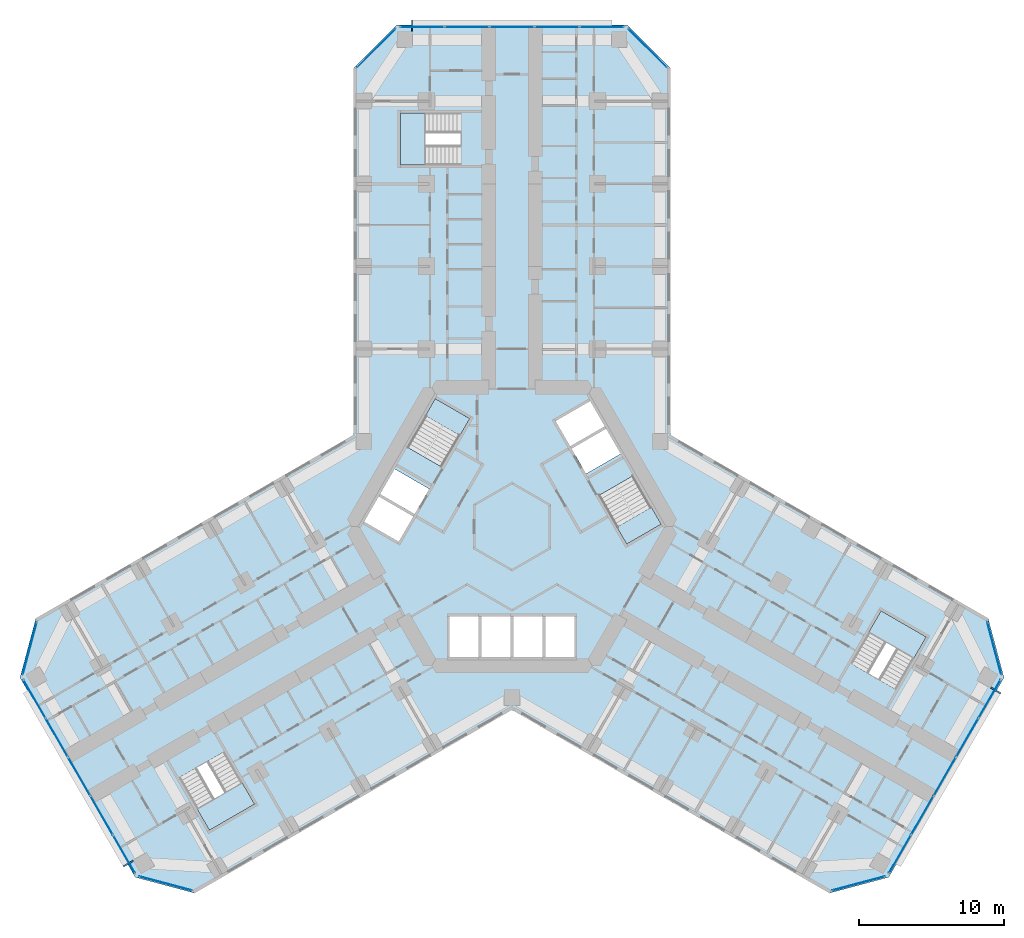
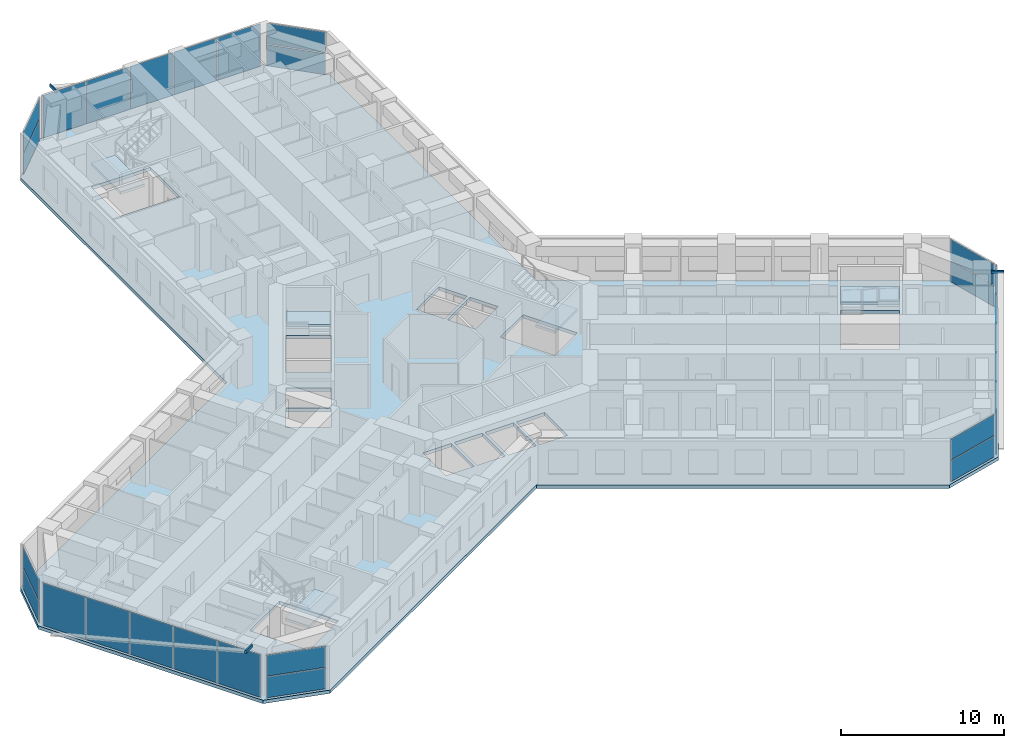
# One storey, part 9 of 21: 27 plates, 6 slabs, 3 members, 14 elements without a shape of their own.
"""IFC4 building model written with IfcOpenShell, lengths in metres."""

import ifcopenshell
import ifcopenshell.guid

model = None  # the IFC model being written
_history = None  # IfcOwnerHistory: only IFC2X3 demands one
_inside = {}  # id of a spatial element -> (the spatial element, [elements in it])
_under = {}  # id of a project, library or spatial element -> (it, [spatial elements below it])
_declared = {}  # id of a project -> (the project, [libraries it declares])
_typed = {}  # id of a type object -> (the type object, [elements of that type])
_made_of = {}  # id of a material, layer set ... -> (it, [elements and type objects made of it])


def new_model(schema):
    """Start an empty IFC model of exactly this schema.

    Asked for "IFC4X3", IfcOpenShell would pick the latest addendum, in which some entities
    have other attributes; the version numbers below select the first issue.
    IFC2X3 requires an IfcOwnerHistory on every rooted entity: one is made here for all.
    """
    global model, _history
    if schema == "IFC4X3":
        model = ifcopenshell.file(schema_version=(4, 3, 0, 0))
    else:
        model = ifcopenshell.file(schema=schema)
    _inside.clear()
    _under.clear()
    _declared.clear()
    _typed.clear()
    _made_of.clear()
    _history = None
    if model.schema == "IFC2X3":
        org = make("IfcOrganization", Name="unknown")
        user = make(
            "IfcPersonAndOrganization",
            ThePerson=make("IfcPerson", FamilyName="unknown"),
            TheOrganization=org,
        )
        app = make(
            "IfcApplication",
            ApplicationDeveloper=org,
            Version="unknown",
            ApplicationFullName="unknown",
            ApplicationIdentifier="unknown",
        )
        _history = make(
            "IfcOwnerHistory",
            OwningUser=user,
            OwningApplication=app,
            ChangeAction="ADDED",
            CreationDate=0,
        )
    return model


def make(cls, **values):
    """One entity of the class cls with the attributes given. An attribute that is None is left unset."""
    return model.create_entity(
        cls, **{name: value for name, value in values.items() if value is not None}
    )


def rooted(cls, **values):
    """An entity with a GlobalId (a new one), such as an element, a storey or a relation."""
    return make(cls, GlobalId=ifcopenshell.guid.new(), OwnerHistory=_history, **values)


def si_unit(unit_type, name, prefix=None):
    """IfcSIUnit, for example si_unit("LENGTHUNIT", "METRE", prefix="MILLI")."""
    return make("IfcSIUnit", UnitType=unit_type, Prefix=prefix, Name=name)


def assignment(units):
    """IfcUnitAssignment: the units of a project."""
    return None if units is None else make("IfcUnitAssignment", Units=units)


def point(xyz):
    """IfcCartesianPoint."""
    return None if xyz is None else make("IfcCartesianPoint", Coordinates=xyz)


def direction(xyz):
    """IfcDirection."""
    return None if xyz is None else make("IfcDirection", DirectionRatios=xyz)


def frame(location, z_axis=None, x_axis=None):
    """IfcAxis2Placement3D, a coordinate frame: its origin and axes. An axis left out is left unset."""
    return make(
        "IfcAxis2Placement3D",
        Location=point(location),
        Axis=direction(z_axis),
        RefDirection=direction(x_axis),
    )


def frame_2d(location, x_axis=None):
    """IfcAxis2Placement2D, a coordinate frame in the plane: its origin and x axis."""
    return make(
        "IfcAxis2Placement2D", Location=point(location), RefDirection=direction(x_axis)
    )


def origin():
    """The frame at (0, 0, 0) with its axes left unset."""
    return frame((0.0, 0.0, 0.0))


def origin_2d():
    """The frame at (0, 0) in the plane with its x axis left unset."""
    return frame_2d((0.0, 0.0))


def place(relative_to, where):
    """IfcLocalPlacement: puts the frame where relative to a parent placement (None: the world)."""
    return make(
        "IfcLocalPlacement", PlacementRelTo=relative_to, RelativePlacement=where
    )


def context(
    kind, dimensions, precision=None, world=None, true_north=None, identifier=None
):
    """IfcGeometricRepresentationContext, for example the 3D "Model" context."""
    return make(
        "IfcGeometricRepresentationContext",
        ContextIdentifier=identifier,
        ContextType=kind,
        CoordinateSpaceDimension=dimensions,
        Precision=precision,
        WorldCoordinateSystem=world,
        TrueNorth=true_north,
    )


def subcontext(parent, identifier, kind, view, scale=None):
    """IfcGeometricRepresentationSubContext, for example "Body" below "Model"."""
    return make(
        "IfcGeometricRepresentationSubContext",
        ContextIdentifier=identifier,
        ContextType=kind,
        ParentContext=parent,
        TargetScale=scale,
        TargetView=view,
    )


def project(units=None, contexts=None):
    """IfcProject with its units and contexts."""
    return rooted(
        "IfcProject",
        Name="project",
        RepresentationContexts=contexts,
        UnitsInContext=assignment(units),
    )


def spatial(cls, under=None, at=None, **own):
    """A site, building, storey or space (cls), placed at a placement, below another one or the project."""
    s = rooted(cls, ObjectPlacement=at, **own)
    if under is not None:
        _under.setdefault(under.id(), (under, []))[1].append(s)
    return s


def polyline(points):
    """IfcPolyline through the points."""
    return make("IfcPolyline", Points=[point(p) for p in points])


def profile(cls, at=None, kind="AREA", **sizes):
    """A parametric profile (cls). Its sizes go by their IFC names, for example OverallWidth=200.0."""
    return make(cls, ProfileType=kind, Position=at, **sizes)


def rectangle(**sizes):
    """IfcRectangleProfileDef."""
    return profile("IfcRectangleProfileDef", **sizes)


def hollow_rectangle(**sizes):
    """IfcRectangleHollowProfileDef."""
    return profile("IfcRectangleHollowProfileDef", **sizes)


def outline(outer, holes=None, kind="AREA"):
    """IfcArbitraryClosedProfileDef: a profile drawn as a closed curve; with holes, ...WithVoids."""
    if holes is None:
        return make("IfcArbitraryClosedProfileDef", ProfileType=kind, OuterCurve=outer)
    return make(
        "IfcArbitraryProfileDefWithVoids",
        ProfileType=kind,
        OuterCurve=outer,
        InnerCurves=holes,
    )


def extrude(swept, where, along, depth):
    """IfcExtrudedAreaSolid: the profile swept, set in the frame where, extruded along a direction by depth."""
    return make(
        "IfcExtrudedAreaSolid",
        SweptArea=swept,
        Position=where,
        ExtrudedDirection=direction(along),
        Depth=depth,
    )


def shape(context_of_items, identifier, shape_type, items):
    """IfcShapeRepresentation: the items that make up one representation, for example the "Body"."""
    return make(
        "IfcShapeRepresentation",
        ContextOfItems=context_of_items,
        RepresentationIdentifier=identifier,
        RepresentationType=shape_type,
        Items=items,
    )


def material(Name=None, Category=None):
    """IfcMaterial."""
    return make("IfcMaterial", Name=Name, Category=Category)


def layer(
    of_material, thickness, ventilated=None, Name=None, Category=None, Priority=None
):
    """IfcMaterialLayer: one layer of a wall or slab, of a material (None: an air gap)."""
    return make(
        "IfcMaterialLayer",
        Material=of_material,
        LayerThickness=thickness,
        IsVentilated=ventilated,
        Name=Name,
        Category=Category,
        Priority=Priority,
    )


def layer_set(layers, Name=None):
    """IfcMaterialLayerSet."""
    return make("IfcMaterialLayerSet", MaterialLayers=layers, LayerSetName=Name)


def material_profile(
    of_material, cross_section, Name=None, Category=None, Priority=None
):
    """IfcMaterialProfile: a cross section and its material."""
    return make(
        "IfcMaterialProfile",
        Name=Name,
        Material=of_material,
        Profile=cross_section,
        Priority=Priority,
        Category=Category,
    )


def profile_set(profiles, Name=None, composite=None):
    """IfcMaterialProfileSet."""
    return make(
        "IfcMaterialProfileSet",
        Name=Name,
        MaterialProfiles=profiles,
        CompositeProfile=composite,
    )


def made_of(thing, what):
    """Note that an element or type object is made of a material, layer set ...; save() writes the relation."""
    if what is not None:
        _made_of.setdefault(what.id(), (what, []))[1].append(thing)
    return thing


def type_object(cls, material=None, **own):
    """A type object (cls), such as IfcWallType, which elements share."""
    return made_of(rooted(cls, **own), material)


def element(
    cls,
    number,
    at=None,
    inside=None,
    cuts=None,
    type_object=None,
    material=None,
    context=None,
    identifier="Body",
    shape_type=None,
    held_by="IfcProductDefinitionShape",
    body=None,
    shapes=None,
    **own,
):
    """One element of the class cls, such as IfcWall. Its Tag is "e" and its number.

    at: its placement. inside: the storey or other place that contains it. cuts: it is an
    opening in that element (IfcRelVoidsElement). A single representation is given by context,
    identifier, shape_type and body (its items); several are given by shapes. held_by: the class
    of the entity that holds the representations. save() writes the other relations.
    """
    e = rooted(cls, Tag="e%d" % number, ObjectPlacement=at, **own)
    if body is not None:
        shapes = [shape(context, identifier, shape_type, body)]
    if shapes is not None:
        e.Representation = make(held_by, Representations=shapes)
    if inside is not None:
        _inside.setdefault(inside.id(), (inside, []))[1].append(e)
    if cuts is not None:
        rooted(
            "IfcRelVoidsElement", RelatingBuildingElement=cuts, RelatedOpeningElement=e
        )
    if type_object is not None:
        _typed.setdefault(type_object.id(), (type_object, []))[1].append(e)
    return made_of(e, material)


def aggregate(whole, parts):
    """IfcRelAggregates: a whole, such as a stair, and the parts it consists of."""
    return rooted("IfcRelAggregates", RelatingObject=whole, RelatedObjects=parts)


def save(model, path):
    """Write the relations noted so far, then the file.

    IfcRelAggregates (storeys below a building ...), IfcRelContainedInSpatialStructure (elements
    in a storey), IfcRelDefinesByType, IfcRelAssociatesMaterial and IfcRelDeclares: one each for
    every whole, place, type object, material and project.
    """
    for whole, parts in _under.values():
        aggregate(whole, parts)
    for where, things in _inside.values():
        rooted(
            "IfcRelContainedInSpatialStructure",
            RelatedElements=things,
            RelatingStructure=where,
        )
    for kind, things in _typed.values():
        rooted("IfcRelDefinesByType", RelatedObjects=things, RelatingType=kind)
    for what, things in _made_of.values():
        rooted("IfcRelAssociatesMaterial", RelatedObjects=things, RelatingMaterial=what)
    for by, libraries in _declared.values():
        rooted("IfcRelDeclares", RelatingContext=by, RelatedDefinitions=libraries)
    model.write(path)


model = new_model("IFC4")

# Units and contexts
model_context = context("Model", 3, precision=1e-05, world=origin(), true_north=direction((0.0, 1.0)))
body_context = subcontext(model_context, "Body", "Model", "MODEL_VIEW")
ifc_project = project(units=[si_unit("LENGTHUNIT", "METRE"), si_unit("AREAUNIT", "SQUARE_METRE"), si_unit("VOLUMEUNIT", "CUBIC_METRE"), si_unit("PLANEANGLEUNIT", "RADIAN"), si_unit("MASSUNIT", "GRAM", prefix="KILO")], contexts=[model_context])

# Site, building, storey
site_placement = place(None, origin())
site = spatial("IfcSite", under=ifc_project, at=site_placement, CompositionType="ELEMENT")
building_placement = place(site_placement, origin())
building = spatial("IfcBuilding", under=site, at=building_placement, Name="Kosmar Iwan School Tower", CompositionType="ELEMENT")
storey_placement = place(building_placement, frame((0.0, 0.0, 28.800048828125)))
storey = spatial("IfcBuildingStorey", under=building, at=storey_placement, Name="L06", CompositionType="ELEMENT", Elevation=28.800048828125)

# Members
ifc_material_1 = material(Name="Steel S355", Category="steel")
ifc_material_profile = material_profile(ifc_material_1, hollow_rectangle(XDim=0.10009765625, YDim=0.199951171875, WallThickness=0.008056640625, at=origin_2d()), Name="RHS 200x100x8")
ifc_profile_set = profile_set([ifc_material_profile], Name="Steel S355")
member_type = type_object("IfcMemberType", Name="Fin bracket RHS 200x100", PredefinedType="USERDEFINED", material=ifc_profile_set)
for number, where, z_axis, x_axis, name in (
    (1, (33.02392578125, -11.10107421875, 3.449951171875), (0.866094119867, -0.499880961361, 0.0), (0.499880961361, 0.866094119867, 0.0), "Fin bracket L07"),
    (2, (-6.898193359375, 34.14990234375, 3.449951171875), (0.0, 1.0, 0.0), (-1.0, 0.0, 0.0), "Fin bracket L07"),
):
    element("IfcMember", number, at=place(storey_placement, frame(where, z_axis=z_axis, x_axis=x_axis)), inside=storey, type_object=member_type, Name=name, ObjectType="FIN BRACKET", PredefinedType="USERDEFINED", context=body_context, shape_type="SweptSolid", body=[
        extrude(hollow_rectangle(XDim=0.10009765625, YDim=0.199951171875, WallThickness=0.008056640625, at=origin_2d()), origin(), (0.0, 0.0, 1.0), 0.800048828125),
    ])
member_placement = place(storey_placement, frame((-26.125732421875, -23.049072265625, 3.449951171875), z_axis=(-0.866017831539, -0.500013115284, 0.0), x_axis=(0.500013115284, -0.866017831539, 0.0)))
element("IfcMember", 3, at=member_placement, inside=storey, type_object=member_type, Name="Fin bracket L07", ObjectType="FIN BRACKET", PredefinedType="USERDEFINED", context=body_context, shape_type="SweptSolid", body=[
    extrude(hollow_rectangle(XDim=0.10009765625, YDim=0.199951171875, WallThickness=0.008056640625, at=origin_2d()), origin(), (0.0, 0.0, 1.0), 0.7998046875),
])

# Curtain wall, plates
ifc_material_2 = material(Name="Dark glass in black aluminium frame", Category="aluminium")
curtain_wall_type_1 = type_object("IfcCurtainWallType", Name="Chamfer curtain wall dark glass", PredefinedType="USERDEFINED", material=ifc_material_2)
curtain_wall_1_placement = place(storey_placement, origin())
curtain_wall_1 = element("IfcCurtainWall", 4, at=curtain_wall_1_placement, inside=storey, type_object=curtain_wall_type_1, Name="Curtain wall L06-F02", ObjectType="FACETED CURTAIN WALL", PredefinedType="USERDEFINED")
ifc_material_3 = material(Name="Dark glass", Category="glass")
ifc_layer_1 = layer(ifc_material_3, 0.028076171875)
ifc_layer_set_1 = layer_set([ifc_layer_1], Name="Dark glass panel 28")
plate_type = type_object("IfcPlateType", Name="Dark glass panel 28", PredefinedType="CURTAIN_PANEL", material=ifc_layer_set_1)
plate_1_placement = place(storey_placement, frame((23.908203125, -24.61328125, 0.059814453125), z_axis=(0.0, 0.0, 1.0), x_axis=(0.965925875495, 0.258818861462, 0.0)))
plate_1 = element("IfcPlate", 5, at=plate_1_placement, type_object=plate_type, Name="CW2 panel 1.1", PredefinedType="CURTAIN_PANEL", context=body_context, shape_type="SweptSolid", body=[
    extrude(rectangle(XDim=3.718994140625, YDim=0.028076171875, at=origin_2d()), origin(), (0.0, 0.0, 1.0), 1.56005859375),
])
plate_2_placement = place(storey_placement, frame((23.908203125, -24.61328125, 1.679931640625), z_axis=(0.0, 0.0, 1.0), x_axis=(0.965925875495, 0.258818861462, 0.0)))
plate_2 = element("IfcPlate", 6, at=plate_2_placement, type_object=plate_type, Name="CW2 panel 1.2", PredefinedType="CURTAIN_PANEL", context=body_context, shape_type="SweptSolid", body=[
    extrude(rectangle(XDim=3.718994140625, YDim=0.028076171875, at=origin_2d()), origin(), (0.0, 0.0, 1.0), 1.56005859375),
])
aggregate(curtain_wall_1, [plate_1, plate_2])

ifc_material_4 = material(Name="Dark glass in black aluminium frame", Category="aluminium")
curtain_wall_type_2 = type_object("IfcCurtainWallType", Name="Tower curtain wall dark glass", PredefinedType="USERDEFINED", material=ifc_material_4)
curtain_wall_2_placement = place(storey_placement, origin())
curtain_wall_2 = element("IfcCurtainWall", 7, at=curtain_wall_2_placement, inside=storey, type_object=curtain_wall_type_2, Name="Curtain wall L06-F03", ObjectType="UNITISED CURTAIN WALL", PredefinedType="USERDEFINED")
plate_3_placement = place(storey_placement, frame((26.764404296875, -22.592529296875, 0.06005859375), z_axis=(0.0, 0.0, 1.0), x_axis=(0.499999997325, 0.866025405329, 0.0)))
plate_3 = element("IfcPlate", 8, at=plate_3_placement, type_object=plate_type, Name="CW1 panel 1.1", PredefinedType="CURTAIN_PANEL", context=body_context, shape_type="SweptSolid", body=[
    extrude(rectangle(XDim=3.00927734375, YDim=0.028076171875, at=origin_2d()), origin(), (0.0, 0.0, 1.0), 3.179931640625),
])
plate_4_placement = place(storey_placement, frame((28.306640625, -19.921630859375, 0.06005859375), z_axis=(0.0, 0.0, 1.0), x_axis=(0.499999997325, 0.866025405329, 0.0)))
plate_4 = element("IfcPlate", 9, at=plate_4_placement, type_object=plate_type, Name="CW1 panel 2.1", PredefinedType="CURTAIN_PANEL", context=body_context, shape_type="SweptSolid", body=[
    extrude(rectangle(XDim=3.039306640625, YDim=0.028076171875, at=origin_2d()), origin(), (0.0, 0.0, 1.0), 3.179931640625),
])
plate_5_placement = place(storey_placement, frame((29.856201171875, -17.237548828125, 0.06005859375), z_axis=(0.0, 0.0, 1.0), x_axis=(0.499999997325, 0.866025405329, 0.0)))
plate_5 = element("IfcPlate", 10, at=plate_5_placement, type_object=plate_type, Name="CW1 panel 3.1", PredefinedType="CURTAIN_PANEL", context=body_context, shape_type="SweptSolid", body=[
    extrude(rectangle(XDim=3.039306640625, YDim=0.028076171875, at=origin_2d()), origin(), (0.0, 0.0, 1.0), 3.179931640625),
])
plate_6_placement = place(storey_placement, frame((31.40576171875, -14.553466796875, 0.06005859375), z_axis=(0.0, 0.0, 1.0), x_axis=(0.499999997325, 0.866025405329, 0.0)))
plate_6 = element("IfcPlate", 11, at=plate_6_placement, type_object=plate_type, Name="CW1 panel 4.1", PredefinedType="CURTAIN_PANEL", context=body_context, shape_type="SweptSolid", body=[
    extrude(rectangle(XDim=3.039306640625, YDim=0.028076171875, at=origin_2d()), origin(), (0.0, 0.0, 1.0), 3.179931640625),
])
plate_7_placement = place(storey_placement, frame((32.947998046875, -11.88232421875, 0.06005859375), z_axis=(0.0, 0.0, 1.0), x_axis=(0.499999997325, 0.866025405329, 0.0)))
plate_7 = element("IfcPlate", 12, at=plate_7_placement, type_object=plate_type, Name="CW1 panel 5.1", PredefinedType="CURTAIN_PANEL", context=body_context, shape_type="SweptSolid", body=[
    extrude(rectangle(XDim=3.00927734375, YDim=0.028076171875, at=origin_2d()), origin(), (0.0, 0.0, 1.0), 3.179931640625),
])
aggregate(curtain_wall_2, [plate_3, plate_4, plate_5, plate_6, plate_7])

curtain_wall_3_placement = place(storey_placement, origin())
curtain_wall_3 = element("IfcCurtainWall", 13, at=curtain_wall_3_placement, inside=storey, type_object=curtain_wall_type_1, Name="Curtain wall L06-F04", ObjectType="FACETED CURTAIN WALL", PredefinedType="USERDEFINED")
plate_8_placement = place(storey_placement, frame((33.269775390625, -8.3984375, 0.059814453125), z_axis=(0.0, 0.0, 1.0), x_axis=(-0.258818861462, 0.965925875495, 0.0)))
plate_8 = element("IfcPlate", 14, at=plate_8_placement, type_object=plate_type, Name="CW2 panel 1.1", PredefinedType="CURTAIN_PANEL", context=body_context, shape_type="SweptSolid", body=[
    extrude(rectangle(XDim=3.718994140625, YDim=0.028076171875, at=origin_2d()), origin(), (0.0, 0.0, 1.0), 1.56005859375),
])
plate_9_placement = place(storey_placement, frame((33.269775390625, -8.3984375, 1.679931640625), z_axis=(0.0, 0.0, 1.0), x_axis=(-0.258818861462, 0.965925875495, 0.0)))
plate_9 = element("IfcPlate", 15, at=plate_9_placement, type_object=plate_type, Name="CW2 panel 1.2", PredefinedType="CURTAIN_PANEL", context=body_context, shape_type="SweptSolid", body=[
    extrude(rectangle(XDim=3.718994140625, YDim=0.028076171875, at=origin_2d()), origin(), (0.0, 0.0, 1.0), 1.56005859375),
])
aggregate(curtain_wall_3, [plate_8, plate_9])

curtain_wall_4_placement = place(storey_placement, origin())
curtain_wall_4 = element("IfcCurtainWall", 16, at=curtain_wall_4_placement, inside=storey, type_object=curtain_wall_type_1, Name="Curtain wall L06-F07", ObjectType="FACETED CURTAIN WALL", PredefinedType="USERDEFINED")
plate_10_placement = place(storey_placement, frame((9.361572265625, 33.01171875, 0.059814453125), z_axis=(0.0, 0.0, 1.0), x_axis=(-0.707106781187, 0.707106781187, 0.0)))
plate_10 = element("IfcPlate", 17, at=plate_10_placement, type_object=plate_type, Name="CW2 panel 1.1", PredefinedType="CURTAIN_PANEL", context=body_context, shape_type="SweptSolid", body=[
    extrude(rectangle(XDim=3.718994140625, YDim=0.028076171875, at=origin_2d()), origin(), (0.0, 0.0, 1.0), 1.56005859375),
])
plate_11_placement = place(storey_placement, frame((9.361572265625, 33.01171875, 1.679931640625), z_axis=(0.0, 0.0, 1.0), x_axis=(-0.707106781187, 0.707106781187, 0.0)))
plate_11 = element("IfcPlate", 18, at=plate_11_placement, type_object=plate_type, Name="CW2 panel 1.2", PredefinedType="CURTAIN_PANEL", context=body_context, shape_type="SweptSolid", body=[
    extrude(rectangle(XDim=3.718994140625, YDim=0.028076171875, at=origin_2d()), origin(), (0.0, 0.0, 1.0), 1.56005859375),
])
aggregate(curtain_wall_4, [plate_10, plate_11])

curtain_wall_5_placement = place(storey_placement, origin())
curtain_wall_5 = element("IfcCurtainWall", 19, at=curtain_wall_5_placement, inside=storey, type_object=curtain_wall_type_2, Name="Curtain wall L06-F08", ObjectType="UNITISED CURTAIN WALL", PredefinedType="USERDEFINED")
plate_12_placement = place(storey_placement, frame((6.18359375, 34.47509765625, 0.06005859375), z_axis=(0.0, 0.0, 1.0), x_axis=(-1.0, 0.0, 0.0)))
plate_12 = element("IfcPlate", 20, at=plate_12_placement, type_object=plate_type, Name="CW1 panel 1.1", PredefinedType="CURTAIN_PANEL", context=body_context, shape_type="SweptSolid", body=[
    extrude(rectangle(XDim=3.00927734375, YDim=0.028076171875, at=origin_2d()), origin(), (0.0, 0.0, 1.0), 3.179931640625),
])
plate_13_placement = place(storey_placement, frame((3.099365234375, 34.47509765625, 0.06005859375), z_axis=(0.0, 0.0, 1.0), x_axis=(-1.0, 0.0, 0.0)))
plate_13 = element("IfcPlate", 21, at=plate_13_placement, type_object=plate_type, Name="CW1 panel 2.1", PredefinedType="CURTAIN_PANEL", context=body_context, shape_type="SweptSolid", body=[
    extrude(rectangle(XDim=3.039306640625, YDim=0.028076171875, at=origin_2d()), origin(), (0.0, 0.0, 1.0), 3.179931640625),
])
plate_14_placement = place(storey_placement, frame((0.0, 34.47509765625, 0.06005859375), z_axis=(0.0, 0.0, 1.0), x_axis=(-1.0, 0.0, 0.0)))
plate_14 = element("IfcPlate", 22, at=plate_14_placement, type_object=plate_type, Name="CW1 panel 3.1", PredefinedType="CURTAIN_PANEL", context=body_context, shape_type="SweptSolid", body=[
    extrude(rectangle(XDim=3.039306640625, YDim=0.028076171875, at=origin_2d()), origin(), (0.0, 0.0, 1.0), 3.179931640625),
])
plate_15_placement = place(storey_placement, frame((-3.099365234375, 34.47509765625, 0.06005859375), z_axis=(0.0, 0.0, 1.0), x_axis=(-1.0, 0.0, 0.0)))
plate_15 = element("IfcPlate", 23, at=plate_15_placement, type_object=plate_type, Name="CW1 panel 4.1", PredefinedType="CURTAIN_PANEL", context=body_context, shape_type="SweptSolid", body=[
    extrude(rectangle(XDim=3.039306640625, YDim=0.028076171875, at=origin_2d()), origin(), (0.0, 0.0, 1.0), 3.179931640625),
])
plate_16_placement = place(storey_placement, frame((-6.18359375, 34.47509765625, 0.06005859375), z_axis=(0.0, 0.0, 1.0), x_axis=(-1.0, 0.0, 0.0)))
plate_16 = element("IfcPlate", 24, at=plate_16_placement, type_object=plate_type, Name="CW1 panel 5.1", PredefinedType="CURTAIN_PANEL", context=body_context, shape_type="SweptSolid", body=[
    extrude(rectangle(XDim=3.00927734375, YDim=0.028076171875, at=origin_2d()), origin(), (0.0, 0.0, 1.0), 3.179931640625),
])
aggregate(curtain_wall_5, [plate_12, plate_13, plate_14, plate_15, plate_16])

curtain_wall_6_placement = place(storey_placement, origin())
curtain_wall_6 = element("IfcCurtainWall", 25, at=curtain_wall_6_placement, inside=storey, type_object=curtain_wall_type_1, Name="Curtain wall L06-F09", ObjectType="FACETED CURTAIN WALL", PredefinedType="USERDEFINED")
plate_17_placement = place(storey_placement, frame((-9.361572265625, 33.01171875, 0.059814453125), z_axis=(0.0, 0.0, 1.0), x_axis=(-0.707106781187, -0.707106781187, 0.0)))
plate_17 = element("IfcPlate", 26, at=plate_17_placement, type_object=plate_type, Name="CW2 panel 1.1", PredefinedType="CURTAIN_PANEL", context=body_context, shape_type="SweptSolid", body=[
    extrude(rectangle(XDim=3.718994140625, YDim=0.028076171875, at=origin_2d()), origin(), (0.0, 0.0, 1.0), 1.56005859375),
])
plate_18_placement = place(storey_placement, frame((-9.361572265625, 33.01171875, 1.679931640625), z_axis=(0.0, 0.0, 1.0), x_axis=(-0.707106781187, -0.707106781187, 0.0)))
plate_18 = element("IfcPlate", 27, at=plate_18_placement, type_object=plate_type, Name="CW2 panel 1.2", PredefinedType="CURTAIN_PANEL", context=body_context, shape_type="SweptSolid", body=[
    extrude(rectangle(XDim=3.718994140625, YDim=0.028076171875, at=origin_2d()), origin(), (0.0, 0.0, 1.0), 1.56005859375),
])
aggregate(curtain_wall_6, [plate_17, plate_18])

curtain_wall_7_placement = place(storey_placement, origin())
curtain_wall_7 = element("IfcCurtainWall", 28, at=curtain_wall_7_placement, inside=storey, type_object=curtain_wall_type_1, Name="Curtain wall L06-F12", ObjectType="FACETED CURTAIN WALL", PredefinedType="USERDEFINED")
plate_19_placement = place(storey_placement, frame((-33.269775390625, -8.3984375, 0.059814453125), z_axis=(0.0, 0.0, 1.0), x_axis=(-0.258818861462, -0.965925875495, 0.0)))
plate_19 = element("IfcPlate", 29, at=plate_19_placement, type_object=plate_type, Name="CW2 panel 1.1", PredefinedType="CURTAIN_PANEL", context=body_context, shape_type="SweptSolid", body=[
    extrude(rectangle(XDim=3.718994140625, YDim=0.028076171875, at=origin_2d()), origin(), (0.0, 0.0, 1.0), 1.56005859375),
])
plate_20_placement = place(storey_placement, frame((-33.269775390625, -8.3984375, 1.679931640625), z_axis=(0.0, 0.0, 1.0), x_axis=(-0.258818861462, -0.965925875495, 0.0)))
plate_20 = element("IfcPlate", 30, at=plate_20_placement, type_object=plate_type, Name="CW2 panel 1.2", PredefinedType="CURTAIN_PANEL", context=body_context, shape_type="SweptSolid", body=[
    extrude(rectangle(XDim=3.718994140625, YDim=0.028076171875, at=origin_2d()), origin(), (0.0, 0.0, 1.0), 1.56005859375),
])
aggregate(curtain_wall_7, [plate_19, plate_20])

curtain_wall_8_placement = place(storey_placement, origin())
curtain_wall_8 = element("IfcCurtainWall", 31, at=curtain_wall_8_placement, inside=storey, type_object=curtain_wall_type_2, Name="Curtain wall L06-F13", ObjectType="UNITISED CURTAIN WALL", PredefinedType="USERDEFINED")
plate_21_placement = place(storey_placement, frame((-32.947998046875, -11.88232421875, 0.06005859375), z_axis=(0.0, 0.0, 1.0), x_axis=(0.499999997325, -0.866025405329, 0.0)))
plate_21 = element("IfcPlate", 32, at=plate_21_placement, type_object=plate_type, Name="CW1 panel 1.1", PredefinedType="CURTAIN_PANEL", context=body_context, shape_type="SweptSolid", body=[
    extrude(rectangle(XDim=3.00927734375, YDim=0.028076171875, at=origin_2d()), origin(), (0.0, 0.0, 1.0), 3.179931640625),
])
plate_22_placement = place(storey_placement, frame((-31.40576171875, -14.553466796875, 0.06005859375), z_axis=(0.0, 0.0, 1.0), x_axis=(0.499999997325, -0.866025405329, 0.0)))
plate_22 = element("IfcPlate", 33, at=plate_22_placement, type_object=plate_type, Name="CW1 panel 2.1", PredefinedType="CURTAIN_PANEL", context=body_context, shape_type="SweptSolid", body=[
    extrude(rectangle(XDim=3.039306640625, YDim=0.028076171875, at=origin_2d()), origin(), (0.0, 0.0, 1.0), 3.179931640625),
])
plate_23_placement = place(storey_placement, frame((-29.856201171875, -17.237548828125, 0.06005859375), z_axis=(0.0, 0.0, 1.0), x_axis=(0.499999997325, -0.866025405329, 0.0)))
plate_23 = element("IfcPlate", 34, at=plate_23_placement, type_object=plate_type, Name="CW1 panel 3.1", PredefinedType="CURTAIN_PANEL", context=body_context, shape_type="SweptSolid", body=[
    extrude(rectangle(XDim=3.039306640625, YDim=0.028076171875, at=origin_2d()), origin(), (0.0, 0.0, 1.0), 3.179931640625),
])
plate_24_placement = place(storey_placement, frame((-28.306640625, -19.921630859375, 0.06005859375), z_axis=(0.0, 0.0, 1.0), x_axis=(0.499999997325, -0.866025405329, 0.0)))
plate_24 = element("IfcPlate", 35, at=plate_24_placement, type_object=plate_type, Name="CW1 panel 4.1", PredefinedType="CURTAIN_PANEL", context=body_context, shape_type="SweptSolid", body=[
    extrude(rectangle(XDim=3.039306640625, YDim=0.028076171875, at=origin_2d()), origin(), (0.0, 0.0, 1.0), 3.179931640625),
])
plate_25_placement = place(storey_placement, frame((-26.764404296875, -22.592529296875, 0.06005859375), z_axis=(0.0, 0.0, 1.0), x_axis=(0.499999997325, -0.866025405329, 0.0)))
plate_25 = element("IfcPlate", 36, at=plate_25_placement, type_object=plate_type, Name="CW1 panel 5.1", PredefinedType="CURTAIN_PANEL", context=body_context, shape_type="SweptSolid", body=[
    extrude(rectangle(XDim=3.00927734375, YDim=0.028076171875, at=origin_2d()), origin(), (0.0, 0.0, 1.0), 3.179931640625),
])
aggregate(curtain_wall_8, [plate_21, plate_22, plate_23, plate_24, plate_25])

curtain_wall_9_placement = place(storey_placement, origin())
curtain_wall_9 = element("IfcCurtainWall", 37, at=curtain_wall_9_placement, inside=storey, type_object=curtain_wall_type_1, Name="Curtain wall L06-F14", ObjectType="FACETED CURTAIN WALL", PredefinedType="USERDEFINED")
plate_26_placement = place(storey_placement, frame((-23.908203125, -24.61328125, 0.059814453125), z_axis=(0.0, 0.0, 1.0), x_axis=(0.965925875495, -0.258818861462, 0.0)))
plate_26 = element("IfcPlate", 38, at=plate_26_placement, type_object=plate_type, Name="CW2 panel 1.1", PredefinedType="CURTAIN_PANEL", context=body_context, shape_type="SweptSolid", body=[
    extrude(rectangle(XDim=3.718994140625, YDim=0.028076171875, at=origin_2d()), origin(), (0.0, 0.0, 1.0), 1.56005859375),
])
plate_27_placement = place(storey_placement, frame((-23.908203125, -24.61328125, 1.679931640625), z_axis=(0.0, 0.0, 1.0), x_axis=(0.965925875495, -0.258818861462, 0.0)))
plate_27 = element("IfcPlate", 39, at=plate_27_placement, type_object=plate_type, Name="CW2 panel 1.2", PredefinedType="CURTAIN_PANEL", context=body_context, shape_type="SweptSolid", body=[
    extrude(rectangle(XDim=3.718994140625, YDim=0.028076171875, at=origin_2d()), origin(), (0.0, 0.0, 1.0), 1.56005859375),
])
aggregate(curtain_wall_9, [plate_26, plate_27])

# Stair, slab
ifc_material_5 = material(Name="Concrete C35/45", Category="concrete")
stair_type_1 = type_object("IfcStairType", Name="Escape stair 3600", PredefinedType="HALF_TURN_STAIR", material=ifc_material_5)
stair_1_placement = place(storey_placement, origin())
stair_1 = element("IfcStair", 40, at=stair_1_placement, inside=storey, type_object=stair_type_1, Name="Stair WS1 L06", PredefinedType="HALF_TURN_STAIR")
ifc_material_6 = material(Name="Concrete C35/45", Category="concrete")
ifc_layer_2 = layer(ifc_material_6, 0.199951171875)
ifc_layer_set_2 = layer_set([ifc_layer_2], Name="Escape stair landing 200")
slab_type_1 = type_object("IfcSlabType", Name="Escape stair landing 200", PredefinedType="LANDING", material=ifc_layer_set_2)
slab_1_placement = place(storey_placement, frame((0.0, 0.0, 1.599853515625)))
slab_1 = element("IfcSlab", 41, at=slab_1_placement, type_object=slab_type_1, Name="WS1 landing 1", PredefinedType="LANDING", context=body_context, shape_type="SweptSolid", body=[
    extrude(outline(polyline([(-6.0, 24.949951171875), (-6.0, 28.550048828125), (-7.699951171875, 28.550048828125), (-7.699951171875, 24.949951171875), (-6.0, 24.949951171875)])), origin(), (0.0, 0.0, 1.0), 0.2001953125),
])
aggregate(stair_1, [slab_1])

stair_2_placement = place(storey_placement, origin())
stair_2 = element("IfcStair", 42, at=stair_2_placement, inside=storey, type_object=stair_type_1, Name="Stair WS2 L06", PredefinedType="HALF_TURN_STAIR")
slab_2_placement = place(storey_placement, frame((0.0, 0.0, 1.599853515625)))
slab_2 = element("IfcSlab", 43, at=slab_2_placement, type_object=slab_type_1, Name="WS2 landing 1", PredefinedType="LANDING", context=body_context, shape_type="SweptSolid", body=[
    extrude(outline(polyline([(-18.607421875, -17.671142578125), (-21.72509765625, -19.47119140625), (-20.875, -20.943359375), (-17.75732421875, -19.143310546875), (-18.607421875, -17.671142578125)])), origin(), (0.0, 0.0, 1.0), 0.2001953125),
])
aggregate(stair_2, [slab_2])

stair_3_placement = place(storey_placement, origin())
stair_3 = element("IfcStair", 44, at=stair_3_placement, inside=storey, type_object=stair_type_1, Name="Stair WS3 L06", PredefinedType="HALF_TURN_STAIR")
slab_3_placement = place(storey_placement, frame((0.0, 0.0, 1.599853515625)))
slab_3 = element("IfcSlab", 45, at=slab_3_placement, type_object=slab_type_1, Name="WS3 landing 1", PredefinedType="LANDING", context=body_context, shape_type="SweptSolid", body=[
    extrude(outline(polyline([(24.607421875, -7.27880859375), (27.72509765625, -9.078857421875), (28.574951171875, -7.606689453125), (25.457275390625, -5.806640625), (24.607421875, -7.27880859375)])), origin(), (0.0, 0.0, 1.0), 0.2001953125),
])
aggregate(stair_3, [slab_3])

# Slab
ifc_material_7 = material(Name="Concrete C35/45", Category="concrete")
ifc_layer_3 = layer(ifc_material_7, 0.25)
ifc_layer_set_3 = layer_set([ifc_layer_3], Name="Floor slab 250")
slab_type_2 = type_object("IfcSlabType", Name="Floor slab 250", PredefinedType="FLOOR", material=ifc_layer_set_3)
slab_4_placement = place(storey_placement, frame((0.0, 0.0, -0.25)))
element("IfcSlab", 46, at=slab_4_placement, inside=storey, type_object=slab_type_2, Name="L06 floor slab", PredefinedType="FLOOR", context=body_context, shape_type="SweptSolid", body=[
    extrude(outline(polyline([(-21.891357421875, -25.282958984375), (0.0, -12.64404296875), (21.891357421875, -25.282958984375), (25.989501953125, -24.184814453125), (33.939453125, -10.4150390625), (32.84130859375, -6.317138671875), (10.949951171875, 6.322021484375), (10.949951171875, 31.60009765625), (7.949951171875, 34.60009765625), (-7.949951171875, 34.60009765625), (-10.949951171875, 31.60009765625), (-10.949951171875, 6.322021484375), (-32.84130859375, -6.317138671875), (-33.939453125, -10.4150390625), (-25.989501953125, -24.184814453125), (-21.891357421875, -25.282958984375)]), holes=[polyline([(7.91259765625, -1.205078125), (10.294189453125, 0.169921875), (8.3642578125, 3.5126953125), (5.982666015625, 2.1376953125), (7.91259765625, -1.205078125)]), polyline([(-2.91259765625, 7.455078125), (-5.294189453125, 8.830078125), (-7.22412109375, 5.4873046875), (-4.8427734375, 4.1123046875), (-2.91259765625, 7.455078125)]), polyline([(-5.712646484375, 2.60546875), (-8.09423828125, 3.98046875), (-9.09423828125, 2.248291015625), (-6.712646484375, 0.873291015625), (-5.712646484375, 2.60546875)]), polyline([(-6.812744140625, 0.7001953125), (-9.1943359375, 2.0751953125), (-10.1943359375, 0.343017578125), (-7.812744140625, -1.031982421875), (-6.812744140625, 0.7001953125)]), polyline([(5.112548828125, 3.64453125), (7.494140625, 5.01953125), (6.494140625, 6.751708984375), (4.112548828125, 5.376708984375), (5.112548828125, 3.64453125)]), polyline([(4.0126953125, 5.5498046875), (6.394287109375, 6.9248046875), (5.394287109375, 8.656982421875), (3.0126953125, 7.281982421875), (4.0126953125, 5.5498046875)]), polyline([(-4.300048828125, -6.199951171875), (-4.300048828125, -9.0), (-2.300048828125, -9.0), (-2.300048828125, -6.199951171875), (-4.300048828125, -6.199951171875)]), polyline([(-2.10009765625, -6.199951171875), (-2.10009765625, -9.0), (-0.10009765625, -9.0), (-0.10009765625, -6.199951171875), (-2.10009765625, -6.199951171875)]), polyline([(0.10009765625, -6.199951171875), (0.10009765625, -9.0), (2.10009765625, -9.0), (2.10009765625, -6.199951171875), (0.10009765625, -6.199951171875)]), polyline([(2.300048828125, -6.199951171875), (2.300048828125, -9.0), (4.300048828125, -9.0), (4.300048828125, -6.199951171875), (2.300048828125, -6.199951171875)]), polyline([(-3.52001953125, 24.949951171875), (-3.52001953125, 28.550048828125), (-7.699951171875, 28.550048828125), (-7.699951171875, 24.949951171875), (-3.52001953125, 24.949951171875)]), polyline([(-19.847412109375, -15.5234375), (-22.965087890625, -17.323486328125), (-20.875, -20.943359375), (-17.75732421875, -19.143310546875), (-19.847412109375, -15.5234375)]), polyline([(23.367431640625, -9.426513671875), (26.485107421875, -11.2265625), (28.574951171875, -7.606689453125), (25.457275390625, -5.806640625), (23.367431640625, -9.426513671875)])]), origin(), (0.0, 0.0, 1.0), 0.25),
])

# Stair, slab
ifc_material_8 = material(Name="Concrete C35/45", Category="concrete")
stair_type_2 = type_object("IfcStairType", Name="Core stair 2750", PredefinedType="HALF_TURN_STAIR", material=ifc_material_8)
stair_4_placement = place(storey_placement, origin())
stair_4 = element("IfcStair", 47, at=stair_4_placement, inside=storey, type_object=stair_type_2, Name="Stair ST2 L06", PredefinedType="HALF_TURN_STAIR")
ifc_material_9 = material(Name="Concrete C35/45", Category="concrete")
ifc_layer_4 = layer(ifc_material_9, 0.199951171875)
ifc_layer_set_4 = layer_set([ifc_layer_4], Name="Stair landing 200")
slab_type_3 = type_object("IfcSlabType", Name="Stair landing 200", PredefinedType="LANDING", material=ifc_layer_set_4)
slab_5_placement = place(storey_placement, frame((0.0, 0.0, 1.599853515625)))
slab_5 = element("IfcSlab", 48, at=slab_5_placement, type_object=slab_type_3, Name="ST2 landing 1", PredefinedType="LANDING", context=body_context, shape_type="SweptSolid", body=[
    extrude(outline(polyline([(-2.91259765625, 7.455078125), (-5.294189453125, 8.830078125), (-5.97412109375, 7.65234375), (-3.5927734375, 6.27734375), (-2.91259765625, 7.455078125)])), origin(), (0.0, 0.0, 1.0), 0.2001953125),
])
aggregate(stair_4, [slab_5])

stair_5_placement = place(storey_placement, origin())
stair_5 = element("IfcStair", 49, at=stair_5_placement, inside=storey, type_object=stair_type_2, Name="Stair ST1 L06", PredefinedType="HALF_TURN_STAIR")
slab_6_placement = place(storey_placement, frame((0.0, 0.0, 1.599853515625)))
slab_6 = element("IfcSlab", 50, at=slab_6_placement, type_object=slab_type_3, Name="ST1 landing 1", PredefinedType="LANDING", context=body_context, shape_type="SweptSolid", body=[
    extrude(outline(polyline([(7.91259765625, -1.205078125), (10.294189453125, 0.169921875), (9.6142578125, 1.34765625), (7.232666015625, -0.02734375), (7.91259765625, -1.205078125)])), origin(), (0.0, 0.0, 1.0), 0.2001953125),
])
aggregate(stair_5, [slab_6])

save(model, "model.ifc")
